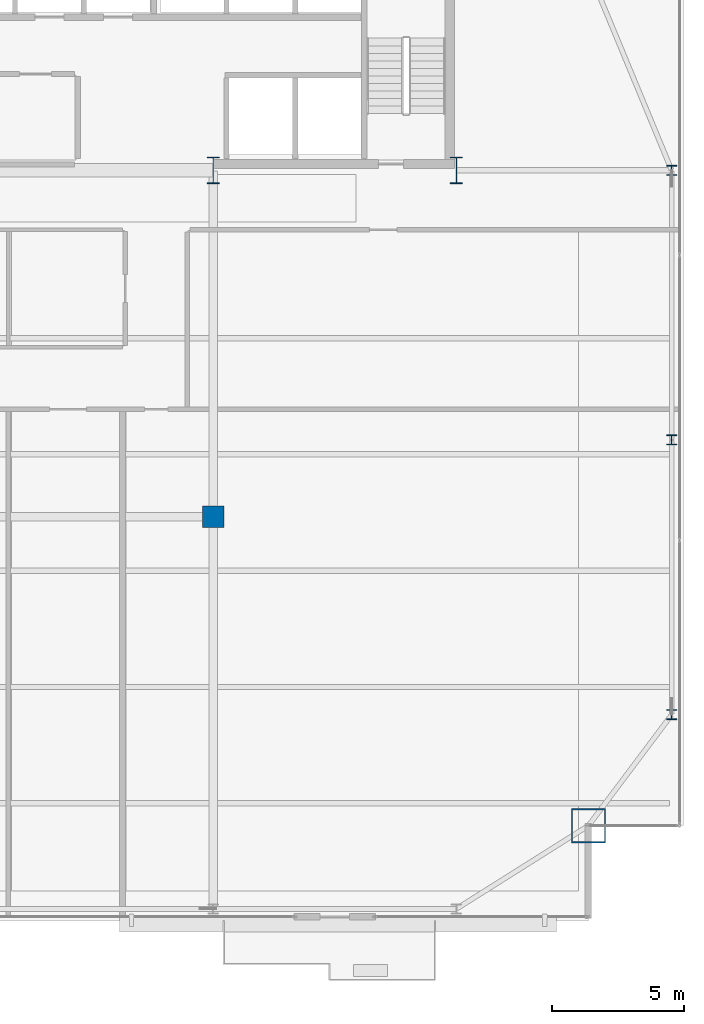
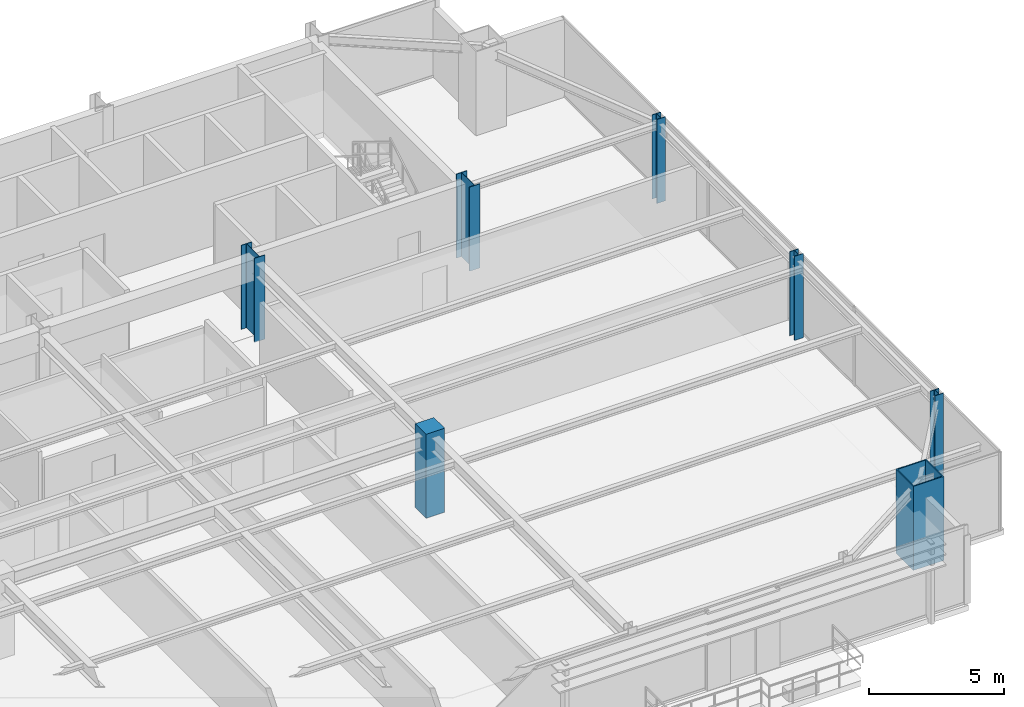
# One storey, part 2 of 31: 7 columns.
"""IFC4 building model written with IfcOpenShell, lengths in metres."""

from ifc_helpers import new_model, si_unit, direction, frame, origin, origin_2d, place, context, subcontext, project, spatial, rectangle, hollow_rectangle, i_section, extrude, source, transform, mapped, material, material_profile, profile_set, type_object, type_shapes, element, save


model = new_model("IFC4")

# Units and contexts
model_context = context("Model", 3, precision=1e-05, world=origin(), true_north=direction((0.0, 1.0)))
body_context = subcontext(model_context, "Body", "Model", "MODEL_VIEW")
ifc_project = project(units=[si_unit("LENGTHUNIT", "METRE"), si_unit("AREAUNIT", "SQUARE_METRE"), si_unit("VOLUMEUNIT", "CUBIC_METRE"), si_unit("PLANEANGLEUNIT", "RADIAN"), si_unit("MASSUNIT", "GRAM", prefix="KILO")], contexts=[model_context])

# Site, building, storey
site_placement = place(None, origin())
site = spatial("IfcSite", under=ifc_project, at=site_placement, CompositionType="ELEMENT")
building_placement = place(site_placement, origin())
building = spatial("IfcBuilding", under=site, at=building_placement, Name="Varnel Quay Broadcast Tower", CompositionType="ELEMENT")
storey_placement = place(building_placement, frame((0.0, 0.0, 157.199951171875)))
storey = spatial("IfcBuildingStorey", under=building, at=storey_placement, Name="L38", CompositionType="ELEMENT", Elevation=157.199951171875)

# Columns
ifc_material_1 = material(Name="Structural Steel CSA G40.21 350WT", Category="steel")
ifc_material_profile_1 = material_profile(ifc_material_1, i_section(OverallWidth=0.449951171875, OverallDepth=1.0, WebThickness=0.01611328125, FlangeThickness=0.030029296875, FilletRadius=0.01611328125, at=origin_2d()), Name="WWF1000X362")
ifc_profile_set_1 = profile_set([ifc_material_profile_1], Name="Structural Steel CSA G40.21 350WT")
column_type_1 = type_object("IfcColumnType", Name="Col_WWF1000X362", PredefinedType="COLUMN", material=ifc_profile_set_1)
shared_shape_1 = source(origin(), body_context, "Body", "SweptSolid", [
    extrude(i_section(OverallWidth=0.449951171875, OverallDepth=1.0, WebThickness=0.01611328125, FlangeThickness=0.030029296875, FilletRadius=0.01611328125, at=origin_2d()), origin(), (0.0, 0.0, 1.0), 3.800048828125),
])
type_shapes(column_type_1, [shared_shape_1])
for number, where, z_axis, x_axis, name in (
    (1, (43.199951171875, 35.60009765625, 0.0), (0.0, 0.0, 1.0), (1.0, 0.0, 0.0), "L38 Column CC-S4"),
    (2, (52.39990234375, 35.60009765625, 0.0), (0.0, 0.0, 1.0), (1.0, 0.0, 0.0), "L38 Column CC-S5"),
):
    element("IfcColumn", number, at=place(storey_placement, frame(where, z_axis=z_axis, x_axis=x_axis)), inside=storey, type_object=column_type_1, Name=name, PredefinedType="COLUMN", context=body_context, shape_type="MappedRepresentation", body=[
        mapped(shared_shape_1, transform((0.0, 0.0, 0.0), x_axis=(1.0, 0.0, 0.0), y_axis=(0.0, 1.0, 0.0), z_axis=(0.0, 0.0, 1.0), scale=1.0)),
    ])
ifc_material_profile_2 = material_profile(ifc_material_1, hollow_rectangle(XDim=1.300048828125, YDim=1.300048828125, WallThickness=0.050048828125, at=origin_2d()), Name="BOX1300X1300X50")
ifc_profile_set_2 = profile_set([ifc_material_profile_2], Name="Structural Steel CSA G40.21 350WT")
column_type_2 = type_object("IfcColumnType", Name="Col_BOX1300X1300X50", PredefinedType="COLUMN", material=ifc_profile_set_2)
shared_shape_2 = source(origin(), body_context, "Body", "SweptSolid", [
    extrude(hollow_rectangle(XDim=1.300048828125, YDim=1.300048828125, WallThickness=0.050048828125, at=origin_2d()), origin(), (0.0, 0.0, 1.0), 3.800048828125),
])
type_shapes(column_type_2, [shared_shape_2])
column_1_placement = place(storey_placement, frame((57.39990234375, 10.800048828125, 0.0), z_axis=(0.0, 0.0, 1.0), x_axis=(1.0, 0.0, 0.0)))
element("IfcColumn", 3, at=column_1_placement, inside=storey, type_object=column_type_2, Name="L38 Column MC-SE", PredefinedType="COLUMN", context=body_context, shape_type="MappedRepresentation", body=[
    mapped(shared_shape_2, transform((0.0, 0.0, 0.0), x_axis=(1.0, 0.0, 0.0), y_axis=(0.0, 1.0, 0.0), z_axis=(0.0, 0.0, 1.0), scale=1.0)),
])
ifc_material_2 = material(Name="Structural Steel CSA G40.21 350W", Category="steel")
ifc_material_profile_3 = material_profile(ifc_material_2, i_section(OverallWidth=0.3740234375, OverallDepth=0.3720703125, WebThickness=0.016357421875, FlangeThickness=0.026123046875, FilletRadius=0.01611328125, at=origin_2d()), Name="W360X196")
ifc_profile_set_3 = profile_set([ifc_material_profile_3], Name="Structural Steel CSA G40.21 350W")
column_type_3 = type_object("IfcColumnType", Name="Col_W360X196", PredefinedType="COLUMN", material=ifc_profile_set_3)
shared_shape_3 = source(origin(), body_context, "Body", "SweptSolid", [
    extrude(i_section(OverallWidth=0.3740234375, OverallDepth=0.3720703125, WebThickness=0.016357421875, FlangeThickness=0.026123046875, FilletRadius=0.01611328125, at=origin_2d()), origin(), (0.0, 0.0, 1.0), 3.800048828125),
])
type_shapes(column_type_3, [shared_shape_3])
for number, where, z_axis, x_axis, name in (
    (4, (60.550048828125, 15.0, 0.0), (0.0, 0.0, 1.0), (1.0, 0.0, 0.0), "L38 Column TC-E1"),
    (5, (60.550048828125, 25.39990234375, 0.0), (0.0, 0.0, 1.0), (1.0, 0.0, 0.0), "L38 Column TC-E2"),
    (6, (60.550048828125, 35.60009765625, 0.0), (0.0, 0.0, 1.0), (1.0, 0.0, 0.0), "L38 Column TC-E3"),
):
    element("IfcColumn", number, at=place(storey_placement, frame(where, z_axis=z_axis, x_axis=x_axis)), inside=storey, type_object=column_type_3, Name=name, PredefinedType="COLUMN", context=body_context, shape_type="MappedRepresentation", body=[
        mapped(shared_shape_3, transform((0.0, 0.0, 0.0), x_axis=(1.0, 0.0, 0.0), y_axis=(0.0, 1.0, 0.0), z_axis=(0.0, 0.0, 1.0), scale=1.0)),
    ])
ifc_material_3 = material(Name="Concrete CSA A23.3 C50/60", Category="concrete")
ifc_material_profile_4 = material_profile(ifc_material_3, rectangle(XDim=0.800048828125, YDim=0.800048828125, at=origin_2d()), Name="RC800X800")
ifc_profile_set_4 = profile_set([ifc_material_profile_4], Name="Concrete CSA A23.3 C50/60")
column_type_4 = type_object("IfcColumnType", Name="Col_RC800X800", PredefinedType="COLUMN", material=ifc_profile_set_4)
shared_shape_4 = source(origin(), body_context, "Body", "SweptSolid", [
    extrude(rectangle(XDim=0.800048828125, YDim=0.800048828125, at=origin_2d()), origin(), (0.0, 0.0, 1.0), 3.800048828125),
])
type_shapes(column_type_4, [shared_shape_4])
column_2_placement = place(storey_placement, frame((43.199951171875, 22.489990234375, 0.0), z_axis=(0.0, 0.0, 1.0), x_axis=(1.0, 0.0, 0.0)))
element("IfcColumn", 7, at=column_2_placement, inside=storey, type_object=column_type_4, Name="L38 Column IC-02", PredefinedType="COLUMN", context=body_context, shape_type="MappedRepresentation", body=[
    mapped(shared_shape_4, transform((0.0, 0.0, 0.0), x_axis=(1.0, 0.0, 0.0), y_axis=(0.0, 1.0, 0.0), z_axis=(0.0, 0.0, 1.0), scale=1.0)),
])

save(model, "model.ifc")
